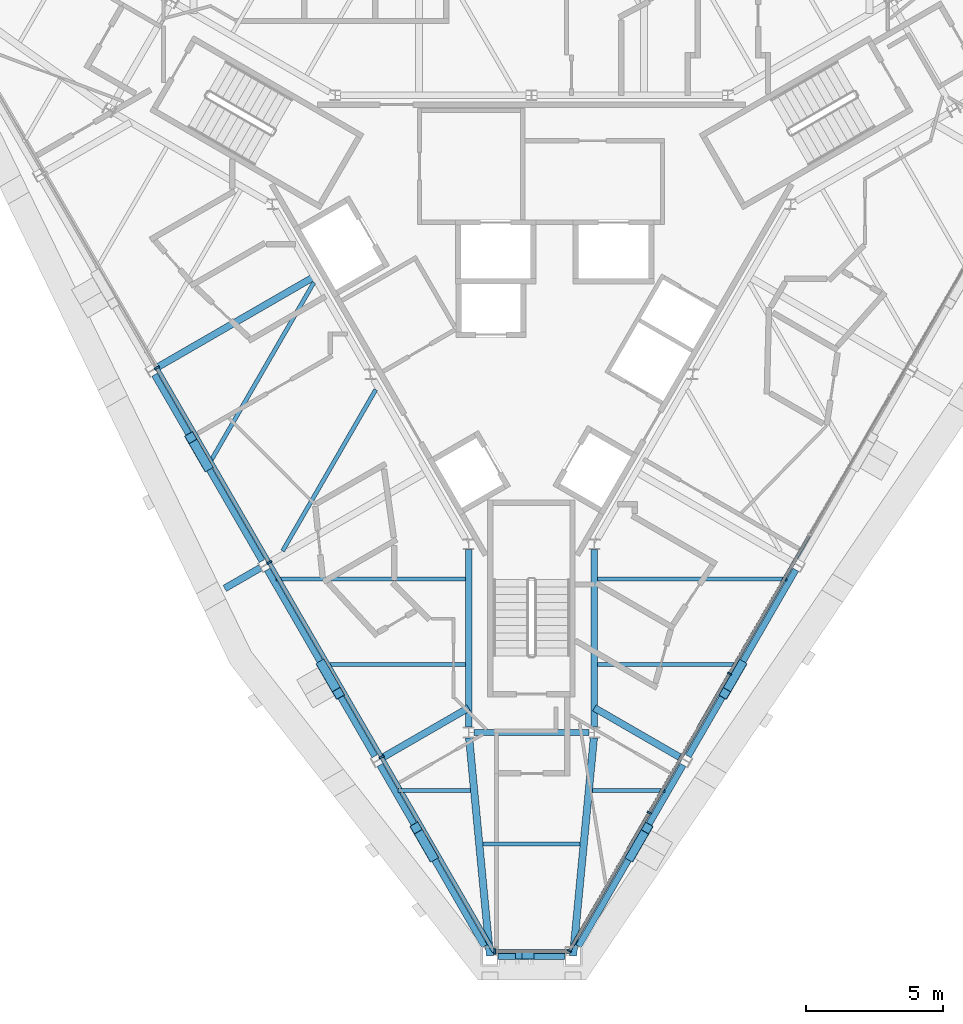
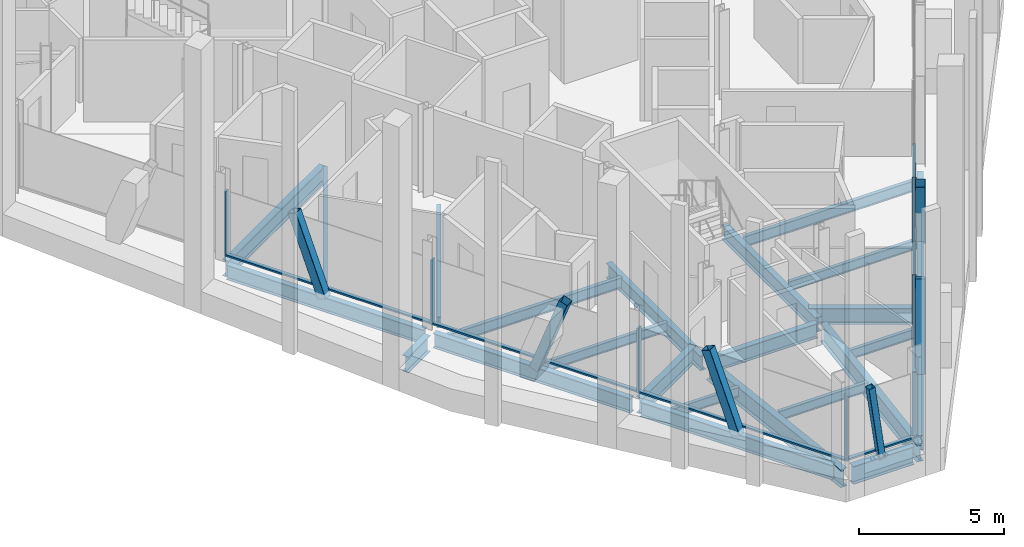
# One storey, part 3 of 15: 24 beams, 20 members, 3 elements without a shape of their own.
"""IFC4 building model written with IfcOpenShell, lengths in metres."""

from ifc_helpers import new_model, si_unit, direction, frame, origin, origin_2d, place, context, subcontext, project, spatial, rectangle, hollow_rectangle, i_section, extrude, material, material_profile, profile_set, type_object, element, aggregate, save


model = new_model("IFC4")

# Units and contexts
model_context = context("Model", 3, precision=1e-05, world=origin(), true_north=direction((0.0, 1.0)))
body_context = subcontext(model_context, "Body", "Model", "MODEL_VIEW")
ifc_project = project(units=[si_unit("LENGTHUNIT", "METRE"), si_unit("AREAUNIT", "SQUARE_METRE"), si_unit("VOLUMEUNIT", "CUBIC_METRE"), si_unit("PLANEANGLEUNIT", "RADIAN"), si_unit("MASSUNIT", "GRAM", prefix="KILO")], contexts=[model_context])

# Site, building, storey
site_placement = place(None, origin())
site = spatial("IfcSite", under=ifc_project, at=site_placement, CompositionType="ELEMENT")
building_placement = place(site_placement, origin())
building = spatial("IfcBuilding", under=site, at=building_placement, Name="Verrane Prism Tower", CompositionType="ELEMENT")
storey_placement = place(building_placement, frame((0.0, 0.0, 297.300048828125)))
storey = spatial("IfcBuildingStorey", under=building, at=storey_placement, Name="L75", CompositionType="ELEMENT", Elevation=297.300048828125)

# Member
ifc_material_1 = material(Name="Steel A500 Grade C", Category="steel")
ifc_material_profile_1 = material_profile(ifc_material_1, hollow_rectangle(XDim=0.25390625, YDim=0.25390625, WallThickness=0.009521484375, InnerFilletRadius=0.0048828125, OuterFilletRadius=0.014404296875, at=origin_2d()), Name="HSS10x10x3/8")
ifc_profile_set_1 = profile_set([ifc_material_profile_1], Name="Steel A500 Grade C")
member_type_1 = type_object("IfcMemberType", Name="Chamfer brace HSS10x10x3/8", PredefinedType="BRACE", material=ifc_profile_set_1)
member_1_placement = place(storey_placement, frame((-0.04052734375, -24.669921875, -0.24267578125), z_axis=(-0.13564452477, 0.0, 0.990757570196), x_axis=(0.0, -1.0, 0.0)))
element("IfcMember", 1, at=member_1_placement, inside=storey, type_object=member_type_1, Name="Chamfer brace S0 L75", PredefinedType="BRACE", context=body_context, shape_type="SweptSolid", body=[
    extrude(hollow_rectangle(XDim=0.25390625, YDim=0.25390625, WallThickness=0.009521484375, InnerFilletRadius=0.0048828125, OuterFilletRadius=0.014404296875, at=origin_2d()), origin(), (0.0, 0.0, 1.0), 3.13720703125),
])

# Beams
ifc_material_2 = material(Name="Steel A992", Category="steel")
ifc_material_profile_2 = material_profile(ifc_material_2, i_section(OverallWidth=0.2666015625, OverallDepth=0.7568359375, WebThickness=0.013916015625, FlangeThickness=0.019287109375, FilletRadius=0.0166015625, at=origin_2d()), Name="W30x108")
ifc_profile_set_2 = profile_set([ifc_material_profile_2], Name="Steel A992")
beam_type_1 = type_object("IfcBeamType", Name="Chamfer spandrel beam W30x108", PredefinedType="SPANDREL", material=ifc_profile_set_2)
beam_1_placement = place(storey_placement, frame((-1.219970703125, -24.669921875, -0.53857421875), z_axis=(1.0, 0.0, 0.0), x_axis=(0.0, 1.0, 0.0)))
element("IfcBeam", 2, at=beam_1_placement, inside=storey, type_object=beam_type_1, Name="Chamfer spandrel beam L75", PredefinedType="SPANDREL", context=body_context, shape_type="SweptSolid", body=[
    extrude(i_section(OverallWidth=0.2666015625, OverallDepth=0.7568359375, WebThickness=0.013916015625, FlangeThickness=0.019287109375, FilletRadius=0.0166015625, at=origin_2d()), origin(), (0.0, 0.0, 1.0), 2.43994140625),
])
ifc_material_3 = material(Name="Steel A992", Category="steel")
ifc_material_profile_3 = material_profile(ifc_material_3, i_section(OverallWidth=0.23046875, OverallDepth=0.6171875, WebThickness=0.01318359375, FlangeThickness=0.022216796875, FilletRadius=0.012939453125, at=origin_2d()), Name="W24x94")
ifc_profile_set_3 = profile_set([ifc_material_profile_3], Name="Steel A992")
beam_type_2 = type_object("IfcBeamType", Name="Core ring girder W24x94", PredefinedType="BEAM", material=ifc_profile_set_3)
beam_2_placement = place(storey_placement, frame((-2.300048828125, -9.81298828125, -0.55859375), z_axis=(0.0, -1.0, 0.0), x_axis=(1.0, 0.0, 0.0)))
element("IfcBeam", 3, at=beam_2_placement, inside=storey, type_object=beam_type_2, Name="Core ring girder L75", PredefinedType="BEAM", context=body_context, shape_type="SweptSolid", body=[
    extrude(i_section(OverallWidth=0.23046875, OverallDepth=0.6171875, WebThickness=0.01318359375, FlangeThickness=0.022216796875, FilletRadius=0.012939453125, at=origin_2d()), origin(), (0.0, 0.0, 1.0), 6.487548828125),
])
beam_3_placement = place(storey_placement, frame((-2.099365234375, -16.5, -0.55859375), z_axis=(1.0, 0.0, 0.0), x_axis=(0.0, 1.0, 0.0)))
element("IfcBeam", 4, at=beam_3_placement, inside=storey, type_object=beam_type_2, Name="Core ring girder L75", PredefinedType="BEAM", context=body_context, shape_type="SweptSolid", body=[
    extrude(i_section(OverallWidth=0.23046875, OverallDepth=0.6171875, WebThickness=0.01318359375, FlangeThickness=0.022216796875, FilletRadius=0.012939453125, at=origin_2d()), origin(), (0.0, 0.0, 1.0), 4.19873046875),
])
beam_4_placement = place(storey_placement, frame((2.300048828125, -16.300537109375, -0.55859375), z_axis=(0.0, 1.0, 0.0), x_axis=(-1.0, 0.0, 0.0)))
element("IfcBeam", 5, at=beam_4_placement, inside=storey, type_object=beam_type_2, Name="Core ring girder L75", PredefinedType="BEAM", context=body_context, shape_type="SweptSolid", body=[
    extrude(i_section(OverallWidth=0.23046875, OverallDepth=0.6171875, WebThickness=0.01318359375, FlangeThickness=0.022216796875, FilletRadius=0.012939453125, at=origin_2d()), origin(), (0.0, 0.0, 1.0), 6.487548828125),
])
ifc_material_4 = material(Name="Steel A992", Category="steel")
ifc_material_profile_4 = material_profile(ifc_material_4, i_section(OverallWidth=0.2666015625, OverallDepth=0.7568359375, WebThickness=0.013916015625, FlangeThickness=0.019287109375, FilletRadius=0.0166015625, at=origin_2d()), Name="W30x108")
ifc_profile_set_4 = profile_set([ifc_material_profile_4], Name="Steel A992")
beam_type_3 = type_object("IfcBeamType", Name="Corner girder W30x108", PredefinedType="BEAM", material=ifc_profile_set_4)
beam_5_placement = place(storey_placement, frame((-1.520263671875, -24.66748046875, -0.5986328125), z_axis=(-0.095042271293, 0.995473237545, 0.0), x_axis=(-0.995473237545, -0.095042271293, 0.0)))
element("IfcBeam", 6, at=beam_5_placement, inside=storey, type_object=beam_type_3, Name="Corner girder L75", PredefinedType="BEAM", context=body_context, shape_type="SweptSolid", body=[
    extrude(i_section(OverallWidth=0.2666015625, OverallDepth=0.7568359375, WebThickness=0.013916015625, FlangeThickness=0.019287109375, FilletRadius=0.0166015625, at=origin_2d()), origin(), (0.0, 0.0, 1.0), 8.004150390625),
])
beam_6_placement = place(storey_placement, frame((1.520263671875, -24.6669921875, -0.5986328125), z_axis=(0.095048043236, 0.995472686455, 0.0), x_axis=(-0.995472686455, 0.095048043236, 0.0)))
element("IfcBeam", 7, at=beam_6_placement, inside=storey, type_object=beam_type_3, Name="Corner girder L75", PredefinedType="BEAM", context=body_context, shape_type="SweptSolid", body=[
    extrude(i_section(OverallWidth=0.2666015625, OverallDepth=0.7568359375, WebThickness=0.013916015625, FlangeThickness=0.019287109375, FilletRadius=0.0166015625, at=origin_2d()), origin(), (0.0, 0.0, 1.0), 8.003662109375),
])

# Members
ifc_material_5 = material(Name="Steel A500 Grade C", Category="steel")
ifc_material_profile_5 = material_profile(ifc_material_5, hollow_rectangle(XDim=0.355712890625, YDim=0.355712890625, WallThickness=0.0126953125, InnerFilletRadius=0.00634765625, OuterFilletRadius=0.01904296875, at=origin_2d()), Name="HSS14x14x1/2")
ifc_profile_set_5 = profile_set([ifc_material_profile_5], Name="Steel A500 Grade C")
member_type_2 = type_object("IfcMemberType", Name="Facade brace HSS14x14x1/2", PredefinedType="BRACE", material=ifc_profile_set_5)
member_2_placement = place(storey_placement, frame((-11.86669921875, -6.744140625, -0.216796875), z_axis=(-0.174021541625, 0.301136042195, 0.937567910682), x_axis=(-0.865825429664, -0.500346205489, 0.0)))
element("IfcMember", 8, at=member_2_placement, inside=storey, type_object=member_type_2, Name="Facade brace SW2 L75", PredefinedType="BRACE", context=body_context, shape_type="SweptSolid", body=[
    extrude(hollow_rectangle(XDim=0.355712890625, YDim=0.355712890625, WallThickness=0.0126953125, InnerFilletRadius=0.00634765625, OuterFilletRadius=0.01904296875, at=origin_2d()), origin(), (0.0, 0.0, 1.0), 3.4091796875),
])
for number, where, z_axis, x_axis, name in (
    (9, (-7.6533203125, -14.041015625, -0.216796875), (0.17399901277, -0.301526684269, 0.937446532997), (0.86613421761, 0.499811481546, 0.0), "Facade brace SW3 L75"),
    (10, (-3.626708984375, -21.01904296875, -0.216796875), (-0.17399901277, 0.301526684269, 0.937446532997), (-0.86613421761, -0.499811481546, 0.0), "Facade brace SW4 L75"),
    (11, (3.626708984375, -21.01904296875, -0.216796875), (0.17399901277, 0.301526684269, 0.937446532997), (-0.86613421761, 0.499811481546, 0.0), "Facade brace SE0 L75"),
    (12, (7.6533203125, -14.041015625, -0.216796875), (-0.17399901277, -0.301526684269, 0.937446532997), (0.86613421761, -0.499811481546, 0.0), "Facade brace SE1 L75"),
):
    element("IfcMember", number, at=place(storey_placement, frame(where, z_axis=z_axis, x_axis=x_axis)), inside=storey, type_object=member_type_2, Name=name, PredefinedType="BRACE", context=body_context, shape_type="SweptSolid", body=[
        extrude(hollow_rectangle(XDim=0.355712890625, YDim=0.355712890625, WallThickness=0.0126953125, InnerFilletRadius=0.00634765625, OuterFilletRadius=0.01904296875, at=origin_2d()), origin(), (0.0, 0.0, 1.0), 3.40966796875),
    ])

# Beams
ifc_material_6 = material(Name="Steel A992", Category="steel")
ifc_material_profile_6 = material_profile(ifc_material_6, i_section(OverallWidth=0.140380859375, OverallDepth=0.40380859375, WebThickness=0.007080078125, FlangeThickness=0.01123046875, FilletRadius=0.01025390625, at=origin_2d()), Name="W16x31")
ifc_profile_set_6 = profile_set([ifc_material_profile_6], Name="Steel A992")
beam_type_4 = type_object("IfcBeamType", Name="Floor beam W16x31", PredefinedType="BEAM", material=ifc_profile_set_6)
beam_7_placement = place(storey_placement, frame((-7.538330078125, -14.010009765625, -0.362060546875), z_axis=(1.0, 0.0, 0.0), x_axis=(0.0, 1.0, 0.0)))
element("IfcBeam", 13, at=beam_7_placement, inside=storey, type_object=beam_type_4, Name="Floor beam L75", PredefinedType="BEAM", context=body_context, shape_type="SweptSolid", body=[
    extrude(i_section(OverallWidth=0.140380859375, OverallDepth=0.40380859375, WebThickness=0.007080078125, FlangeThickness=0.01123046875, FilletRadius=0.01025390625, at=origin_2d()), origin(), (0.0, 0.0, 1.0), 5.123291015625),
])
for number, where, z_axis, x_axis, name in (
    (14, (-4.876220703125, -18.623291015625, -0.362060546875), (1.0, 0.0, 0.0), (0.0, 1.0, 0.0), "Floor beam L75"),
    (15, (2.2314453125, -18.623291015625, -0.362060546875), (1.0, 0.0, 0.0), (0.0, 1.0, 0.0), "Floor beam L75"),
):
    element("IfcBeam", number, at=place(storey_placement, frame(where, z_axis=z_axis, x_axis=x_axis)), inside=storey, type_object=beam_type_4, Name=name, PredefinedType="BEAM", context=body_context, shape_type="SweptSolid", body=[
        extrude(i_section(OverallWidth=0.140380859375, OverallDepth=0.40380859375, WebThickness=0.007080078125, FlangeThickness=0.01123046875, FilletRadius=0.01025390625, at=origin_2d()), origin(), (0.0, 0.0, 1.0), 2.644775390625),
    ])
beam_8_placement = place(storey_placement, frame((2.4150390625, -14.010009765625, -0.362060546875), z_axis=(1.0, 0.0, 0.0), x_axis=(0.0, 1.0, 0.0)))
element("IfcBeam", 16, at=beam_8_placement, inside=storey, type_object=beam_type_4, Name="Floor beam L75", PredefinedType="BEAM", context=body_context, shape_type="SweptSolid", body=[
    extrude(i_section(OverallWidth=0.140380859375, OverallDepth=0.40380859375, WebThickness=0.007080078125, FlangeThickness=0.01123046875, FilletRadius=0.01025390625, at=origin_2d()), origin(), (0.0, 0.0, 1.0), 5.123291015625),
])
beam_9_placement = place(storey_placement, frame((-1.77587890625, -20.5849609375, -0.362060546875), z_axis=(1.0, 0.0, 0.0), x_axis=(0.0, 1.0, 0.0)))
element("IfcBeam", 17, at=beam_9_placement, inside=storey, type_object=beam_type_4, Name="Floor beam L75", PredefinedType="BEAM", context=body_context, shape_type="SweptSolid", body=[
    extrude(i_section(OverallWidth=0.140380859375, OverallDepth=0.40380859375, WebThickness=0.007080078125, FlangeThickness=0.01123046875, FilletRadius=0.01025390625, at=origin_2d()), origin(), (0.0, 0.0, 1.0), 3.5517578125),
])
ifc_material_7 = material(Name="Steel A992", Category="steel")
ifc_material_profile_7 = material_profile(ifc_material_7, i_section(OverallWidth=0.15234375, OverallDepth=0.449462890625, WebThickness=0.007568359375, FlangeThickness=0.0107421875, FilletRadius=0.01025390625, at=origin_2d()), Name="W18x35")
ifc_profile_set_7 = profile_set([ifc_material_profile_7], Name="Steel A992")
beam_type_5 = type_object("IfcBeamType", Name="Floor beam W18x35", PredefinedType="BEAM", material=ifc_profile_set_7)
beam_10_placement = place(storey_placement, frame((-9.103271484375, -9.864501953125, -0.384765625), z_axis=(0.49999337185, 0.866029230515, 0.0), x_axis=(-0.866029230515, 0.49999337185, 0.0)))
element("IfcBeam", 18, at=beam_10_placement, inside=storey, type_object=beam_type_5, Name="Floor beam L75", PredefinedType="BEAM", context=body_context, shape_type="SweptSolid", body=[
    extrude(i_section(OverallWidth=0.15234375, OverallDepth=0.449462890625, WebThickness=0.007568359375, FlangeThickness=0.0107421875, FilletRadius=0.01025390625, at=origin_2d()), origin(), (0.0, 0.0, 1.0), 6.8125),
])
beam_11_placement = place(storey_placement, frame((-11.78076171875, -6.6630859375, -0.384765625), z_axis=(0.499997113229, 0.866027070456, 0.0), x_axis=(-0.866027070456, 0.499997113229, 0.0)))
element("IfcBeam", 19, at=beam_11_placement, inside=storey, type_object=beam_type_5, Name="Floor beam L75", PredefinedType="BEAM", context=body_context, shape_type="SweptSolid", body=[
    extrude(i_section(OverallWidth=0.15234375, OverallDepth=0.449462890625, WebThickness=0.007568359375, FlangeThickness=0.0107421875, FilletRadius=0.01025390625, at=origin_2d()), origin(), (0.0, 0.0, 1.0), 7.64306640625),
])
for number, where, z_axis, x_axis, name in (
    (20, (-9.338623046875, -10.889892578125, -0.384765625), (1.0, 0.0, 0.0), (0.0, 1.0, 0.0), "Floor beam L75"),
    (21, (2.4150390625, -10.889892578125, -0.384765625), (1.0, 0.0, 0.0), (0.0, 1.0, 0.0), "Floor beam L75"),
):
    element("IfcBeam", number, at=place(storey_placement, frame(where, z_axis=z_axis, x_axis=x_axis)), inside=storey, type_object=beam_type_5, Name=name, PredefinedType="BEAM", context=body_context, shape_type="SweptSolid", body=[
        extrude(i_section(OverallWidth=0.15234375, OverallDepth=0.449462890625, WebThickness=0.007568359375, FlangeThickness=0.0107421875, FilletRadius=0.01025390625, at=origin_2d()), origin(), (0.0, 0.0, 1.0), 6.923583984375),
    ])

# Curtain wall, members
ifc_material_8 = material(Name="Aluminium framed insulated glazing", Category="aluminium")
curtain_wall_type_1 = type_object("IfcCurtainWallType", Name="Curtain wall CW-B 5600 module", PredefinedType="NOTDEFINED", material=ifc_material_8)
curtain_wall_1_placement = place(storey_placement, origin())
curtain_wall_1 = element("IfcCurtainWall", 22, at=curtain_wall_1_placement, inside=storey, type_object=curtain_wall_type_1, Name="Glazed curtain wall south-east face L75", PredefinedType="NOTDEFINED")
ifc_material_9 = material(Name="Aluminium alloy 6063-T6", Category="aluminium")
ifc_material_profile_8 = material_profile(ifc_material_9, rectangle(XDim=0.159912109375, YDim=0.06005859375, at=origin_2d()), Name="Mullion 60x160 aluminium")
ifc_profile_set_8 = profile_set([ifc_material_profile_8], Name="Aluminium alloy 6063-T6")
member_type_3 = type_object("IfcMemberType", Name="Mullion 60x160 aluminium", PredefinedType="MULLION", material=ifc_profile_set_8)
member_3_placement = place(storey_placement, frame((1.3876953125, -24.490966796875, 0.0), z_axis=(0.0, 0.0, 1.0), x_axis=(-0.866024861728, 0.500000938868, 0.0)))
member_3 = element("IfcMember", 23, at=member_3_placement, type_object=member_type_3, Name="CW75.6 mullion 1", PredefinedType="MULLION", context=body_context, shape_type="SweptSolid", body=[
    extrude(rectangle(XDim=0.159912109375, YDim=0.06005859375, at=origin_2d()), origin(), (0.0, 0.0, 1.0), 2.72314453125),
])
member_4_placement = place(storey_placement, frame((4.307861328125, -19.43310546875, 0.0), z_axis=(0.0, 0.0, 1.0), x_axis=(-0.866024861728, 0.500000938868, 0.0)))
member_4 = element("IfcMember", 24, at=member_4_placement, type_object=member_type_3, Name="CW75.6 mullion 2", PredefinedType="MULLION", context=body_context, shape_type="SweptSolid", body=[
    extrude(rectangle(XDim=0.159912109375, YDim=0.06005859375, at=origin_2d()), origin(), (0.0, 0.0, 1.0), 2.72314453125),
])
member_5_placement = place(storey_placement, frame((7.242919921875, -14.349365234375, 0.0), z_axis=(0.0, 0.0, 1.0), x_axis=(-0.866024861728, 0.500000938868, 0.0)))
member_5 = element("IfcMember", 25, at=member_5_placement, type_object=member_type_3, Name="CW75.6 mullion 3", PredefinedType="MULLION", context=body_context, shape_type="SweptSolid", body=[
    extrude(rectangle(XDim=0.159912109375, YDim=0.06005859375, at=origin_2d()), origin(), (0.0, 0.0, 1.0), 2.72314453125),
])

ifc_material_10 = material(Name="Aluminium framed insulated glazing", Category="aluminium")
curtain_wall_type_2 = type_object("IfcCurtainWallType", Name="Curtain wall CW-A 8400 module", PredefinedType="NOTDEFINED", material=ifc_material_10)
curtain_wall_2_placement = place(storey_placement, origin())
curtain_wall_2 = element("IfcCurtainWall", 26, at=curtain_wall_2_placement, inside=storey, type_object=curtain_wall_type_2, Name="Glazed curtain wall south-west face L75", PredefinedType="NOTDEFINED")
ifc_material_11 = material(Name="Aluminium alloy 6063-T6", Category="aluminium")
ifc_material_profile_9 = material_profile(ifc_material_11, rectangle(XDim=0.199951171875, YDim=0.070068359375, at=origin_2d()), Name="Mullion 70x200 aluminium")
ifc_profile_set_9 = profile_set([ifc_material_profile_9], Name="Aluminium alloy 6063-T6")
member_type_4 = type_object("IfcMemberType", Name="Mullion 70x200 aluminium", PredefinedType="MULLION", material=ifc_profile_set_9)
member_6_placement = place(storey_placement, frame((-13.7001953125, -3.1650390625, 0.0), z_axis=(0.0, 0.0, 1.0), x_axis=(0.866024861728, 0.500000938868, 0.0)))
member_6 = element("IfcMember", 27, at=member_6_placement, type_object=member_type_4, Name="CW75.4 mullion 3", PredefinedType="MULLION", context=body_context, shape_type="SweptSolid", body=[
    extrude(rectangle(XDim=0.199951171875, YDim=0.070068359375, at=origin_2d()), origin(), (0.0, 0.0, 1.0), 2.72314453125),
])
member_7_placement = place(storey_placement, frame((-9.591064453125, -10.2822265625, 0.0), z_axis=(0.0, 0.0, 1.0), x_axis=(0.866024861728, 0.500000938868, 0.0)))
member_7 = element("IfcMember", 28, at=member_7_placement, type_object=member_type_4, Name="CW75.4 mullion 4", PredefinedType="MULLION", context=body_context, shape_type="SweptSolid", body=[
    extrude(rectangle(XDim=0.199951171875, YDim=0.070068359375, at=origin_2d()), origin(), (0.0, 0.0, 1.0), 2.72314453125),
])
member_8_placement = place(storey_placement, frame((-5.48193359375, -17.399658203125, 0.0), z_axis=(0.0, 0.0, 1.0), x_axis=(0.866024861728, 0.500000938868, 0.0)))
member_8 = element("IfcMember", 29, at=member_8_placement, type_object=member_type_4, Name="CW75.4 mullion 5", PredefinedType="MULLION", context=body_context, shape_type="SweptSolid", body=[
    extrude(rectangle(XDim=0.199951171875, YDim=0.070068359375, at=origin_2d()), origin(), (0.0, 0.0, 1.0), 2.72314453125),
])

# Curtain wall, member
curtain_wall_3_placement = place(storey_placement, origin())
curtain_wall_3 = element("IfcCurtainWall", 30, at=curtain_wall_3_placement, inside=storey, type_object=curtain_wall_type_2, Name="Glazed curtain wall south corner L75", PredefinedType="NOTDEFINED")
member_9_placement = place(storey_placement, frame((-1.337646484375, -24.51708984375, 0.0), z_axis=(0.0, 0.0, 1.0), x_axis=(0.0, 1.0, 0.0)))
member_9 = element("IfcMember", 31, at=member_9_placement, type_object=member_type_4, Name="CW75.5 mullion 1", PredefinedType="MULLION", context=body_context, shape_type="SweptSolid", body=[
    extrude(rectangle(XDim=0.199951171875, YDim=0.070068359375, at=origin_2d()), origin(), (0.0, 0.0, 1.0), 2.72314453125),
])

# Beams
ifc_material_12 = material(Name="Steel A992", Category="steel")
ifc_material_profile_10 = material_profile(ifc_material_12, i_section(OverallWidth=0.25390625, OverallDepth=0.683349609375, WebThickness=0.012451171875, FlangeThickness=0.01904296875, FilletRadius=0.01513671875, at=origin_2d()), Name="W27x94")
ifc_profile_set_10 = profile_set([ifc_material_profile_10], Name="Steel A992")
beam_type_6 = type_object("IfcBeamType", Name="Radial girder W27x94", PredefinedType="BEAM", material=ifc_profile_set_10)
beam_12_placement = place(storey_placement, frame((-13.720458984375, -3.16796875, -0.561767578125), z_axis=(0.866025791777, 0.499999327977, 0.0), x_axis=(-0.499999327977, 0.866025791777, 0.0)))
element("IfcBeam", 32, at=beam_12_placement, inside=storey, type_object=beam_type_6, Name="Radial girder L75", PredefinedType="BEAM", context=body_context, shape_type="SweptSolid", body=[
    extrude(i_section(OverallWidth=0.25390625, OverallDepth=0.683349609375, WebThickness=0.012451171875, FlangeThickness=0.01904296875, FilletRadius=0.01513671875, at=origin_2d()), origin(), (0.0, 0.0, 1.0), 6.666015625),
])
for number, where, z_axis, x_axis, name in (
    (33, (-5.48046875, -17.43798828125, -0.561767578125), (0.866029490193, 0.499992922065, 0.0), (-0.499992922065, 0.866029490193, 0.0), "Radial girder L75"),
    (34, (5.48046875, -17.43798828125, -0.561767578125), (-0.866029490193, 0.499992922065, 0.0), (-0.499992922065, -0.866029490193, 0.0), "Radial girder L75"),
):
    element("IfcBeam", number, at=place(storey_placement, frame(where, z_axis=z_axis, x_axis=x_axis)), inside=storey, type_object=beam_type_6, Name=name, PredefinedType="BEAM", context=body_context, shape_type="SweptSolid", body=[
        extrude(i_section(OverallWidth=0.25390625, OverallDepth=0.683349609375, WebThickness=0.012451171875, FlangeThickness=0.01904296875, FilletRadius=0.01513671875, at=origin_2d()), origin(), (0.0, 0.0, 1.0), 3.67236328125),
    ])
beam_13_placement = place(storey_placement, frame((-9.916015625, -10.47998046875, -0.561767578125), z_axis=(-0.86598839376, -0.500064097764, 0.0), x_axis=(0.500064097764, -0.86598839376, 0.0)))
element("IfcBeam", 35, at=beam_13_placement, inside=storey, type_object=beam_type_6, Name="Cantilever girder L75", PredefinedType="BEAM", context=body_context, shape_type="SweptSolid", body=[
    extrude(i_section(OverallWidth=0.25390625, OverallDepth=0.683349609375, WebThickness=0.012451171875, FlangeThickness=0.01904296875, FilletRadius=0.01513671875, at=origin_2d()), origin(), (0.0, 0.0, 1.0), 1.505126953125),
])
ifc_material_13 = material(Name="Steel A992", Category="steel")
ifc_material_profile_11 = material_profile(ifc_material_13, i_section(OverallWidth=0.23046875, OverallDepth=0.6171875, WebThickness=0.01318359375, FlangeThickness=0.022216796875, FilletRadius=0.012939453125, at=origin_2d()), Name="W24x94")
ifc_profile_set_11 = profile_set([ifc_material_profile_11], Name="Steel A992")
beam_type_7 = type_object("IfcBeamType", Name="Spandrel beam W24x94", PredefinedType="SPANDREL", material=ifc_profile_set_11)
beam_14_placement = place(storey_placement, frame((-13.78662109375, -3.421630859375, -0.46875), z_axis=(0.500300363133, -0.865851919585, 0.0), x_axis=(0.865851919585, 0.500300363133, 0.0)))
element("IfcBeam", 36, at=beam_14_placement, inside=storey, type_object=beam_type_7, Name="Spandrel beam L75", PredefinedType="SPANDREL", context=body_context, shape_type="SweptSolid", body=[
    extrude(i_section(OverallWidth=0.23046875, OverallDepth=0.6171875, WebThickness=0.01318359375, FlangeThickness=0.022216796875, FilletRadius=0.012939453125, at=origin_2d()), origin(), (0.0, 0.0, 1.0), 7.861572265625),
])
beam_15_placement = place(storey_placement, frame((-9.666748046875, -10.5517578125, -0.46875), z_axis=(0.499786009893, -0.866148915785, 0.0), x_axis=(0.866148915785, 0.499786009893, 0.0)))
element("IfcBeam", 37, at=beam_15_placement, inside=storey, type_object=beam_type_7, Name="Spandrel beam L75", PredefinedType="SPANDREL", context=body_context, shape_type="SweptSolid", body=[
    extrude(i_section(OverallWidth=0.23046875, OverallDepth=0.6171875, WebThickness=0.01318359375, FlangeThickness=0.022216796875, FilletRadius=0.012939453125, at=origin_2d()), origin(), (0.0, 0.0, 1.0), 7.8701171875),
])
for number, where, z_axis, x_axis, name in (
    (38, (-5.546630859375, -17.691650390625, -0.46875), (0.499783212018, -0.866150530211, 0.0), (0.866150530211, 0.499783212018, 0.0), "Spandrel beam L75"),
    (39, (1.721923828125, -24.320068359375, -0.46875), (0.499783212018, 0.866150530211, 0.0), (-0.866150530211, 0.499783212018, 0.0), "Spandrel beam L75"),
):
    element("IfcBeam", number, at=place(storey_placement, frame(where, z_axis=z_axis, x_axis=x_axis)), inside=storey, type_object=beam_type_7, Name=name, PredefinedType="SPANDREL", context=body_context, shape_type="SweptSolid", body=[
        extrude(i_section(OverallWidth=0.23046875, OverallDepth=0.6171875, WebThickness=0.01318359375, FlangeThickness=0.022216796875, FilletRadius=0.012939453125, at=origin_2d()), origin(), (0.0, 0.0, 1.0), 7.65283203125),
    ])
beam_16_placement = place(storey_placement, frame((5.7333984375, -17.368408203125, -0.46875), z_axis=(0.499786009893, 0.866148915785, 0.0), x_axis=(-0.866148915785, 0.499786009893, 0.0)))
element("IfcBeam", 40, at=beam_16_placement, inside=storey, type_object=beam_type_7, Name="Spandrel beam L75", PredefinedType="SPANDREL", context=body_context, shape_type="SweptSolid", body=[
    extrude(i_section(OverallWidth=0.23046875, OverallDepth=0.6171875, WebThickness=0.01318359375, FlangeThickness=0.022216796875, FilletRadius=0.012939453125, at=origin_2d()), origin(), (0.0, 0.0, 1.0), 7.8701171875),
])

# Member
ifc_material_14 = material(Name="Aluminium alloy 6063-T6", Category="aluminium")
ifc_material_profile_12 = material_profile(ifc_material_14, rectangle(XDim=0.1201171875, YDim=0.06005859375, at=origin_2d()), Name="Transom 60x120 aluminium")
ifc_profile_set_12 = profile_set([ifc_material_profile_12], Name="Aluminium alloy 6063-T6")
member_type_5 = type_object("IfcMemberType", Name="Transom 60x120 aluminium", PredefinedType="USERDEFINED", material=ifc_profile_set_12)
member_10_placement = place(storey_placement, frame((1.402587890625, -24.465087890625, 0.030029296875), z_axis=(0.500000319328, 0.86602521942, 0.0), x_axis=(-0.86602521942, 0.500000319328, 0.0)))
member_10 = element("IfcMember", 41, at=member_10_placement, type_object=member_type_5, Name="CW75.6 transom 1", ObjectType="TRANSOM", PredefinedType="USERDEFINED", context=body_context, shape_type="SweptSolid", body=[
    extrude(rectangle(XDim=0.1201171875, YDim=0.06005859375, at=origin_2d()), origin(), (0.0, 0.0, 1.0), 5.7802734375),
])

member_11_placement = place(storey_placement, frame((4.32275390625, -19.4072265625, 0.030029296875), z_axis=(0.500007361489, 0.866021153585, 0.0), x_axis=(-0.866021153585, 0.500007361489, 0.0)))
member_11 = element("IfcMember", 42, at=member_11_placement, type_object=member_type_5, Name="CW75.6 transom 2", ObjectType="TRANSOM", PredefinedType="USERDEFINED", context=body_context, shape_type="SweptSolid", body=[
    extrude(rectangle(XDim=0.1201171875, YDim=0.06005859375, at=origin_2d()), origin(), (0.0, 0.0, 1.0), 5.810546875),
])

member_12_placement = place(storey_placement, frame((7.2578125, -14.3232421875, 0.030029296875), z_axis=(0.500025556299, 0.866010648346, 0.0), x_axis=(-0.866010648346, 0.500025556299, 0.0)))
member_12 = element("IfcMember", 43, at=member_12_placement, type_object=member_type_5, Name="CW75.6 transom 3", ObjectType="TRANSOM", PredefinedType="USERDEFINED", context=body_context, shape_type="SweptSolid", body=[
    extrude(rectangle(XDim=0.1201171875, YDim=0.06005859375, at=origin_2d()), origin(), (0.0, 0.0, 1.0), 5.810302734375),
])

aggregate(curtain_wall_1, [member_3, member_4, member_5, member_10, member_11, member_12])

ifc_material_15 = material(Name="Aluminium alloy 6063-T6", Category="aluminium")
ifc_material_profile_13 = material_profile(ifc_material_15, rectangle(XDim=0.14990234375, YDim=0.070068359375, at=origin_2d()), Name="Transom 70x150 aluminium")
ifc_profile_set_13 = profile_set([ifc_material_profile_13], Name="Aluminium alloy 6063-T6")
member_type_6 = type_object("IfcMemberType", Name="Transom 70x150 aluminium", PredefinedType="USERDEFINED", material=ifc_profile_set_13)
member_13_placement = place(storey_placement, frame((-13.682861328125, -3.1953125, 0.034912109375), z_axis=(0.500006018292, -0.866021929094, 0.0), x_axis=(0.866021929094, 0.500006018292, 0.0)))
member_13 = element("IfcMember", 44, at=member_13_placement, type_object=member_type_6, Name="CW75.4 transom 3", ObjectType="TRANSOM", PredefinedType="USERDEFINED", context=body_context, shape_type="SweptSolid", body=[
    extrude(rectangle(XDim=0.14990234375, YDim=0.070068359375, at=origin_2d()), origin(), (0.0, 0.0, 1.0), 8.1484375),
])

member_14_placement = place(storey_placement, frame((-9.573486328125, -10.3125, 0.034912109375), z_axis=(0.499993044538, -0.866029419485, 0.0), x_axis=(0.866029419485, 0.499993044538, 0.0)))
member_14 = element("IfcMember", 45, at=member_14_placement, type_object=member_type_6, Name="CW75.4 transom 4", ObjectType="TRANSOM", PredefinedType="USERDEFINED", context=body_context, shape_type="SweptSolid", body=[
    extrude(rectangle(XDim=0.14990234375, YDim=0.070068359375, at=origin_2d()), origin(), (0.0, 0.0, 1.0), 8.1484375),
])

member_15_placement = place(storey_placement, frame((-5.46435546875, -17.429931640625, 0.034912109375), z_axis=(0.500002215902, -0.866024124429, 0.0), x_axis=(0.866024124429, 0.500002215902, 0.0)))
member_15 = element("IfcMember", 46, at=member_15_placement, type_object=member_type_6, Name="CW75.4 transom 5", ObjectType="TRANSOM", PredefinedType="USERDEFINED", context=body_context, shape_type="SweptSolid", body=[
    extrude(rectangle(XDim=0.14990234375, YDim=0.070068359375, at=origin_2d()), origin(), (0.0, 0.0, 1.0), 8.18359375),
])

aggregate(curtain_wall_2, [member_6, member_7, member_8, member_13, member_14, member_15])

member_16_placement = place(storey_placement, frame((-1.302490234375, -24.51708984375, 0.034912109375), z_axis=(1.0, 0.0, 0.0), x_axis=(0.0, 1.0, 0.0)))
member_16 = element("IfcMember", 47, at=member_16_placement, type_object=member_type_6, Name="CW75.5 transom 1", ObjectType="TRANSOM", PredefinedType="USERDEFINED", context=body_context, shape_type="SweptSolid", body=[
    extrude(rectangle(XDim=0.14990234375, YDim=0.070068359375, at=origin_2d()), origin(), (0.0, 0.0, 1.0), 2.675048828125),
])

aggregate(curtain_wall_3, [member_9, member_16])

save(model, "model.ifc")
